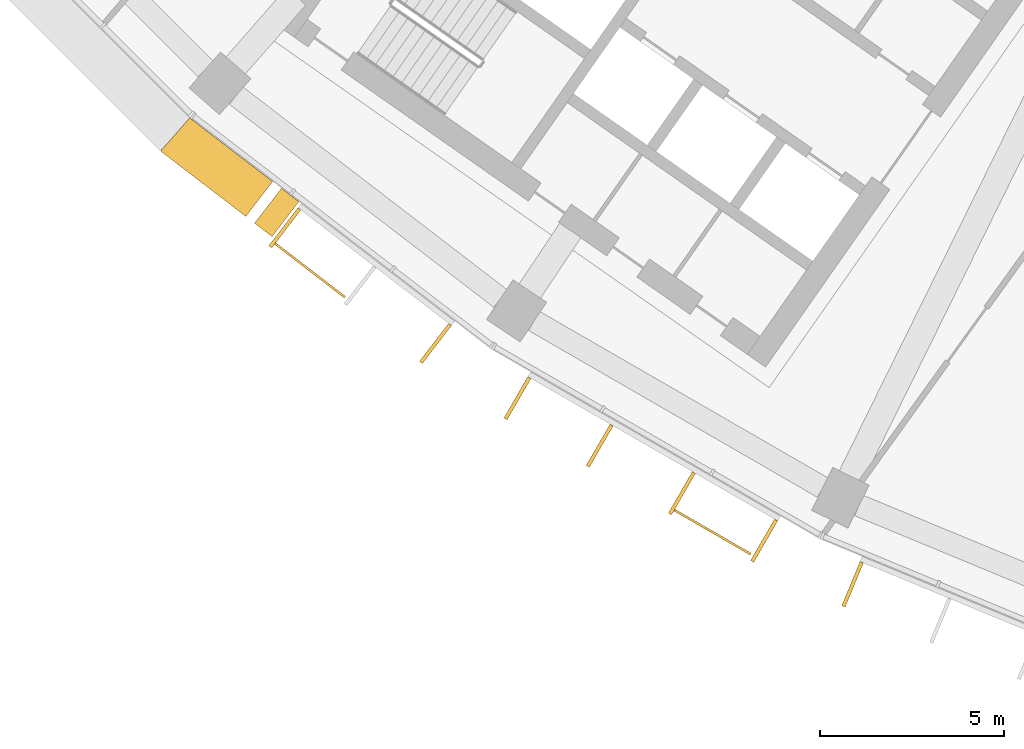
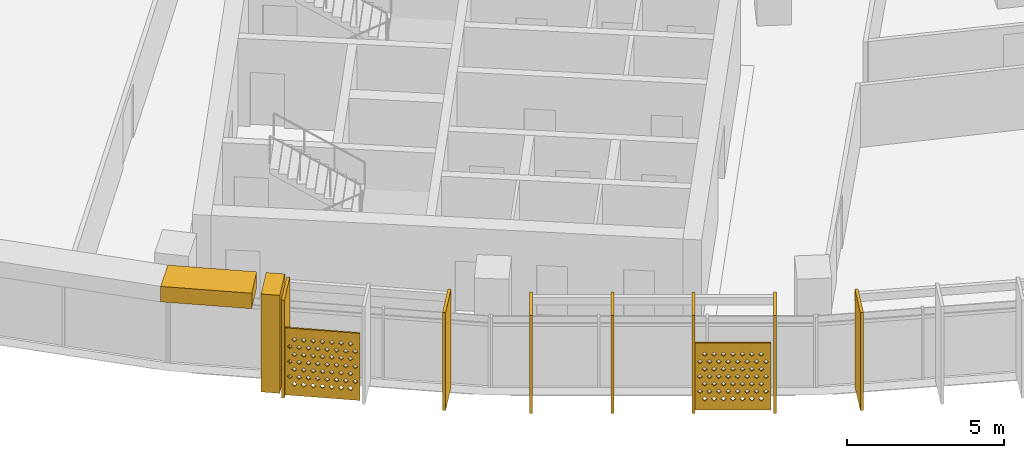
# One storey, part 21 of 27: 11 shading devices.
"""IFC4 building model written with IfcOpenShell, lengths in metres."""

from ifc_helpers import new_model, si_unit, direction, frame, origin, origin_2d, place, context, subcontext, project, spatial, polyline, rectangle, outline, extrude, material, material_profile, profile_set, type_object, element, save


model = new_model("IFC4")

# Units and contexts
model_context = context("Model", 3, precision=1e-05, world=origin(), true_north=direction((0.0, 1.0)))
body_context = subcontext(model_context, "Body", "Model", "MODEL_VIEW")
ifc_project = project(units=[si_unit("LENGTHUNIT", "METRE"), si_unit("AREAUNIT", "SQUARE_METRE"), si_unit("VOLUMEUNIT", "CUBIC_METRE"), si_unit("PLANEANGLEUNIT", "RADIAN"), si_unit("MASSUNIT", "GRAM", prefix="KILO")], contexts=[model_context])

# Site, building, storey
site_placement = place(None, origin())
site = spatial("IfcSite", under=ifc_project, at=site_placement, CompositionType="ELEMENT")
building_placement = place(site_placement, origin())
building = spatial("IfcBuilding", under=site, at=building_placement, Name="Qamariyya Broadcast Tower", CompositionType="ELEMENT")
storey_placement = place(building_placement, frame((0.0, 0.0, 194.89990234375)))
storey = spatial("IfcBuildingStorey", under=building, at=storey_placement, Name="L46", CompositionType="ELEMENT", Elevation=194.89990234375)

# Shading devices
ifc_material_1 = material(Name="Steel S355 powder coated deep red", Category="steel")
shading_device_type_1 = type_object("IfcShadingDeviceType", Name="Deep red frame, powder coated steel box section", PredefinedType="USERDEFINED", material=ifc_material_1)
shading_device_1_placement = place(storey_placement, origin())
element("IfcShadingDevice", 1, at=shading_device_1_placement, inside=storey, type_object=shading_device_type_1, Name="e-frm-B3-F1-postb-L46", ObjectType="FRAME", PredefinedType="USERDEFINED", context=body_context, shape_type="SweptSolid", body=[
    extrude(outline(polyline([(-49.593505859375, -61.3095703125), (-50.323974609375, -62.26171875), (-49.84814453125, -62.626953125), (-49.11767578125, -61.6748046875), (-49.593505859375, -61.3095703125)])), origin(), (0.0, 0.0, 1.0), 3.800048828125),
])
shading_device_2_placement = place(storey_placement, frame((0.0, 0.0, 3.2001953125)))
element("IfcShadingDevice", 2, at=shading_device_2_placement, inside=storey, type_object=shading_device_type_1, Name="e-frm-B3-F1-top2", ObjectType="FRAME", PredefinedType="USERDEFINED", context=body_context, shape_type="SweptSolid", body=[
    extrude(outline(polyline([(-52.08837890625, -59.395263671875), (-52.88134765625, -60.299560546875), (-50.56201171875, -62.0791015625), (-49.83154296875, -61.126953125), (-52.08837890625, -59.395263671875)])), origin(), (0.0, 0.0, 1.0), 0.599853515625),
])
ifc_material_2 = material(Name="Perforated glazed terracotta", Category="masonry")
ifc_material_profile_1 = material_profile(ifc_material_2, outline(polyline([(-1.199951171875, -1.300048828125), (1.199951171875, -1.300048828125), (1.199951171875, 1.300048828125), (-1.199951171875, 1.300048828125), (-1.199951171875, -1.300048828125)]), holes=[polyline([(-0.81494140625, -0.86669921875), (-0.89990234375, -0.78173828125), (-0.985107421875, -0.86669921875), (-0.89990234375, -0.95166015625), (-0.81494140625, -0.86669921875)]), polyline([(-0.514892578125, -0.86669921875), (-0.60009765625, -0.78173828125), (-0.68505859375, -0.86669921875), (-0.60009765625, -0.95166015625), (-0.514892578125, -0.86669921875)]), polyline([(-0.215087890625, -0.86669921875), (-0.300048828125, -0.78173828125), (-0.385009765625, -0.86669921875), (-0.300048828125, -0.95166015625), (-0.215087890625, -0.86669921875)]), polyline([(0.0849609375, -0.86669921875), (0.0, -0.78173828125), (-0.0849609375, -0.86669921875), (0.0, -0.95166015625), (0.0849609375, -0.86669921875)]), polyline([(0.385009765625, -0.86669921875), (0.300048828125, -0.78173828125), (0.215087890625, -0.86669921875), (0.300048828125, -0.95166015625), (0.385009765625, -0.86669921875)]), polyline([(0.68505859375, -0.86669921875), (0.60009765625, -0.78173828125), (0.514892578125, -0.86669921875), (0.60009765625, -0.95166015625), (0.68505859375, -0.86669921875)]), polyline([(0.985107421875, -0.86669921875), (0.89990234375, -0.78173828125), (0.81494140625, -0.86669921875), (0.89990234375, -0.95166015625), (0.985107421875, -0.86669921875)]), polyline([(-0.965087890625, -0.577880859375), (-1.050048828125, -0.49267578125), (-1.135009765625, -0.577880859375), (-1.050048828125, -0.662841796875), (-0.965087890625, -0.577880859375)]), polyline([(-0.6650390625, -0.577880859375), (-0.75, -0.49267578125), (-0.8349609375, -0.577880859375), (-0.75, -0.662841796875), (-0.6650390625, -0.577880859375)]), polyline([(-0.364990234375, -0.577880859375), (-0.449951171875, -0.49267578125), (-0.534912109375, -0.577880859375), (-0.449951171875, -0.662841796875), (-0.364990234375, -0.577880859375)]), polyline([(-0.06494140625, -0.577880859375), (-0.14990234375, -0.49267578125), (-0.235107421875, -0.577880859375), (-0.14990234375, -0.662841796875), (-0.06494140625, -0.577880859375)]), polyline([(0.235107421875, -0.577880859375), (0.14990234375, -0.49267578125), (0.06494140625, -0.577880859375), (0.14990234375, -0.662841796875), (0.235107421875, -0.577880859375)]), polyline([(0.534912109375, -0.577880859375), (0.449951171875, -0.49267578125), (0.364990234375, -0.577880859375), (0.449951171875, -0.662841796875), (0.534912109375, -0.577880859375)]), polyline([(0.8349609375, -0.577880859375), (0.75, -0.49267578125), (0.6650390625, -0.577880859375), (0.75, -0.662841796875), (0.8349609375, -0.577880859375)]), polyline([(1.135009765625, -0.577880859375), (1.050048828125, -0.49267578125), (0.965087890625, -0.577880859375), (1.050048828125, -0.662841796875), (1.135009765625, -0.577880859375)]), polyline([(-0.81494140625, -0.288818359375), (-0.89990234375, -0.203857421875), (-0.985107421875, -0.288818359375), (-0.89990234375, -0.373779296875), (-0.81494140625, -0.288818359375)]), polyline([(-0.514892578125, -0.288818359375), (-0.60009765625, -0.203857421875), (-0.68505859375, -0.288818359375), (-0.60009765625, -0.373779296875), (-0.514892578125, -0.288818359375)]), polyline([(-0.215087890625, -0.288818359375), (-0.300048828125, -0.203857421875), (-0.385009765625, -0.288818359375), (-0.300048828125, -0.373779296875), (-0.215087890625, -0.288818359375)]), polyline([(0.0849609375, -0.288818359375), (0.0, -0.203857421875), (-0.0849609375, -0.288818359375), (0.0, -0.373779296875), (0.0849609375, -0.288818359375)]), polyline([(0.385009765625, -0.288818359375), (0.300048828125, -0.203857421875), (0.215087890625, -0.288818359375), (0.300048828125, -0.373779296875), (0.385009765625, -0.288818359375)]), polyline([(0.68505859375, -0.288818359375), (0.60009765625, -0.203857421875), (0.514892578125, -0.288818359375), (0.60009765625, -0.373779296875), (0.68505859375, -0.288818359375)]), polyline([(0.985107421875, -0.288818359375), (0.89990234375, -0.203857421875), (0.81494140625, -0.288818359375), (0.89990234375, -0.373779296875), (0.985107421875, -0.288818359375)]), polyline([(-0.965087890625, 0.0), (-1.050048828125, 0.0849609375), (-1.135009765625, 0.0), (-1.050048828125, -0.0849609375), (-0.965087890625, 0.0)]), polyline([(-0.6650390625, 0.0), (-0.75, 0.0849609375), (-0.8349609375, 0.0), (-0.75, -0.0849609375), (-0.6650390625, 0.0)]), polyline([(-0.364990234375, 0.0), (-0.449951171875, 0.0849609375), (-0.534912109375, 0.0), (-0.449951171875, -0.0849609375), (-0.364990234375, 0.0)]), polyline([(-0.06494140625, 0.0), (-0.14990234375, 0.0849609375), (-0.235107421875, 0.0), (-0.14990234375, -0.0849609375), (-0.06494140625, 0.0)]), polyline([(0.235107421875, 0.0), (0.14990234375, 0.0849609375), (0.06494140625, 0.0), (0.14990234375, -0.0849609375), (0.235107421875, 0.0)]), polyline([(0.534912109375, 0.0), (0.449951171875, 0.0849609375), (0.364990234375, 0.0), (0.449951171875, -0.0849609375), (0.534912109375, 0.0)]), polyline([(0.8349609375, 0.0), (0.75, 0.0849609375), (0.6650390625, 0.0), (0.75, -0.0849609375), (0.8349609375, 0.0)]), polyline([(1.135009765625, 0.0), (1.050048828125, 0.0849609375), (0.965087890625, 0.0), (1.050048828125, -0.0849609375), (1.135009765625, 0.0)]), polyline([(-0.81494140625, 0.288818359375), (-0.89990234375, 0.373779296875), (-0.985107421875, 0.288818359375), (-0.89990234375, 0.203857421875), (-0.81494140625, 0.288818359375)]), polyline([(-0.514892578125, 0.288818359375), (-0.60009765625, 0.373779296875), (-0.68505859375, 0.288818359375), (-0.60009765625, 0.203857421875), (-0.514892578125, 0.288818359375)]), polyline([(-0.215087890625, 0.288818359375), (-0.300048828125, 0.373779296875), (-0.385009765625, 0.288818359375), (-0.300048828125, 0.203857421875), (-0.215087890625, 0.288818359375)]), polyline([(0.0849609375, 0.288818359375), (0.0, 0.373779296875), (-0.0849609375, 0.288818359375), (0.0, 0.203857421875), (0.0849609375, 0.288818359375)]), polyline([(0.385009765625, 0.288818359375), (0.300048828125, 0.373779296875), (0.215087890625, 0.288818359375), (0.300048828125, 0.203857421875), (0.385009765625, 0.288818359375)]), polyline([(0.68505859375, 0.288818359375), (0.60009765625, 0.373779296875), (0.514892578125, 0.288818359375), (0.60009765625, 0.203857421875), (0.68505859375, 0.288818359375)]), polyline([(0.985107421875, 0.288818359375), (0.89990234375, 0.373779296875), (0.81494140625, 0.288818359375), (0.89990234375, 0.203857421875), (0.985107421875, 0.288818359375)]), polyline([(-0.965087890625, 0.577880859375), (-1.050048828125, 0.662841796875), (-1.135009765625, 0.577880859375), (-1.050048828125, 0.49267578125), (-0.965087890625, 0.577880859375)]), polyline([(-0.6650390625, 0.577880859375), (-0.75, 0.662841796875), (-0.8349609375, 0.577880859375), (-0.75, 0.49267578125), (-0.6650390625, 0.577880859375)]), polyline([(-0.364990234375, 0.577880859375), (-0.449951171875, 0.662841796875), (-0.534912109375, 0.577880859375), (-0.449951171875, 0.49267578125), (-0.364990234375, 0.577880859375)]), polyline([(-0.06494140625, 0.577880859375), (-0.14990234375, 0.662841796875), (-0.235107421875, 0.577880859375), (-0.14990234375, 0.49267578125), (-0.06494140625, 0.577880859375)]), polyline([(0.235107421875, 0.577880859375), (0.14990234375, 0.662841796875), (0.06494140625, 0.577880859375), (0.14990234375, 0.49267578125), (0.235107421875, 0.577880859375)]), polyline([(0.534912109375, 0.577880859375), (0.449951171875, 0.662841796875), (0.364990234375, 0.577880859375), (0.449951171875, 0.49267578125), (0.534912109375, 0.577880859375)]), polyline([(0.8349609375, 0.577880859375), (0.75, 0.662841796875), (0.6650390625, 0.577880859375), (0.75, 0.49267578125), (0.8349609375, 0.577880859375)]), polyline([(1.135009765625, 0.577880859375), (1.050048828125, 0.662841796875), (0.965087890625, 0.577880859375), (1.050048828125, 0.49267578125), (1.135009765625, 0.577880859375)]), polyline([(-0.81494140625, 0.86669921875), (-0.89990234375, 0.95166015625), (-0.985107421875, 0.86669921875), (-0.89990234375, 0.78173828125), (-0.81494140625, 0.86669921875)]), polyline([(-0.514892578125, 0.86669921875), (-0.60009765625, 0.95166015625), (-0.68505859375, 0.86669921875), (-0.60009765625, 0.78173828125), (-0.514892578125, 0.86669921875)]), polyline([(-0.215087890625, 0.86669921875), (-0.300048828125, 0.95166015625), (-0.385009765625, 0.86669921875), (-0.300048828125, 0.78173828125), (-0.215087890625, 0.86669921875)]), polyline([(0.0849609375, 0.86669921875), (0.0, 0.95166015625), (-0.0849609375, 0.86669921875), (0.0, 0.78173828125), (0.0849609375, 0.86669921875)]), polyline([(0.385009765625, 0.86669921875), (0.300048828125, 0.95166015625), (0.215087890625, 0.86669921875), (0.300048828125, 0.78173828125), (0.385009765625, 0.86669921875)]), polyline([(0.68505859375, 0.86669921875), (0.60009765625, 0.95166015625), (0.514892578125, 0.86669921875), (0.60009765625, 0.78173828125), (0.68505859375, 0.86669921875)]), polyline([(0.985107421875, 0.86669921875), (0.89990234375, 0.95166015625), (0.81494140625, 0.86669921875), (0.89990234375, 0.78173828125), (0.985107421875, 0.86669921875)])]))
ifc_profile_set_1 = profile_set([ifc_material_profile_1], Name="Perforated glazed terracotta")
shading_device_type_2 = type_object("IfcShadingDeviceType", Name="Perforated terracotta screen 2400 x 2600", PredefinedType="USERDEFINED", material=ifc_profile_set_1)
shading_device_3_placement = place(storey_placement, frame((-48.79541015625, -63.52294921875, 1.35009765625), z_axis=(-0.60971076085, -0.792623989105, 0.0), x_axis=(0.792623989105, -0.60971076085, 0.0)))
element("IfcShadingDevice", 3, at=shading_device_3_placement, inside=storey, type_object=shading_device_type_2, Name="e-scr-L46-02-1", ObjectType="SCREEN", PredefinedType="USERDEFINED", context=body_context, shape_type="SweptSolid", body=[
    extrude(outline(polyline([(-1.199951171875, -1.300048828125), (1.199951171875, -1.300048828125), (1.199951171875, 1.300048828125), (-1.199951171875, 1.300048828125), (-1.199951171875, -1.300048828125)]), holes=[polyline([(-0.81494140625, -0.86669921875), (-0.89990234375, -0.78173828125), (-0.985107421875, -0.86669921875), (-0.89990234375, -0.95166015625), (-0.81494140625, -0.86669921875)]), polyline([(-0.514892578125, -0.86669921875), (-0.60009765625, -0.78173828125), (-0.68505859375, -0.86669921875), (-0.60009765625, -0.95166015625), (-0.514892578125, -0.86669921875)]), polyline([(-0.215087890625, -0.86669921875), (-0.300048828125, -0.78173828125), (-0.385009765625, -0.86669921875), (-0.300048828125, -0.95166015625), (-0.215087890625, -0.86669921875)]), polyline([(0.0849609375, -0.86669921875), (0.0, -0.78173828125), (-0.0849609375, -0.86669921875), (0.0, -0.95166015625), (0.0849609375, -0.86669921875)]), polyline([(0.385009765625, -0.86669921875), (0.300048828125, -0.78173828125), (0.215087890625, -0.86669921875), (0.300048828125, -0.95166015625), (0.385009765625, -0.86669921875)]), polyline([(0.68505859375, -0.86669921875), (0.60009765625, -0.78173828125), (0.514892578125, -0.86669921875), (0.60009765625, -0.95166015625), (0.68505859375, -0.86669921875)]), polyline([(0.985107421875, -0.86669921875), (0.89990234375, -0.78173828125), (0.81494140625, -0.86669921875), (0.89990234375, -0.95166015625), (0.985107421875, -0.86669921875)]), polyline([(-0.965087890625, -0.577880859375), (-1.050048828125, -0.49267578125), (-1.135009765625, -0.577880859375), (-1.050048828125, -0.662841796875), (-0.965087890625, -0.577880859375)]), polyline([(-0.6650390625, -0.577880859375), (-0.75, -0.49267578125), (-0.8349609375, -0.577880859375), (-0.75, -0.662841796875), (-0.6650390625, -0.577880859375)]), polyline([(-0.364990234375, -0.577880859375), (-0.449951171875, -0.49267578125), (-0.534912109375, -0.577880859375), (-0.449951171875, -0.662841796875), (-0.364990234375, -0.577880859375)]), polyline([(-0.06494140625, -0.577880859375), (-0.14990234375, -0.49267578125), (-0.235107421875, -0.577880859375), (-0.14990234375, -0.662841796875), (-0.06494140625, -0.577880859375)]), polyline([(0.235107421875, -0.577880859375), (0.14990234375, -0.49267578125), (0.06494140625, -0.577880859375), (0.14990234375, -0.662841796875), (0.235107421875, -0.577880859375)]), polyline([(0.534912109375, -0.577880859375), (0.449951171875, -0.49267578125), (0.364990234375, -0.577880859375), (0.449951171875, -0.662841796875), (0.534912109375, -0.577880859375)]), polyline([(0.8349609375, -0.577880859375), (0.75, -0.49267578125), (0.6650390625, -0.577880859375), (0.75, -0.662841796875), (0.8349609375, -0.577880859375)]), polyline([(1.135009765625, -0.577880859375), (1.050048828125, -0.49267578125), (0.965087890625, -0.577880859375), (1.050048828125, -0.662841796875), (1.135009765625, -0.577880859375)]), polyline([(-0.81494140625, -0.288818359375), (-0.89990234375, -0.203857421875), (-0.985107421875, -0.288818359375), (-0.89990234375, -0.373779296875), (-0.81494140625, -0.288818359375)]), polyline([(-0.514892578125, -0.288818359375), (-0.60009765625, -0.203857421875), (-0.68505859375, -0.288818359375), (-0.60009765625, -0.373779296875), (-0.514892578125, -0.288818359375)]), polyline([(-0.215087890625, -0.288818359375), (-0.300048828125, -0.203857421875), (-0.385009765625, -0.288818359375), (-0.300048828125, -0.373779296875), (-0.215087890625, -0.288818359375)]), polyline([(0.0849609375, -0.288818359375), (0.0, -0.203857421875), (-0.0849609375, -0.288818359375), (0.0, -0.373779296875), (0.0849609375, -0.288818359375)]), polyline([(0.385009765625, -0.288818359375), (0.300048828125, -0.203857421875), (0.215087890625, -0.288818359375), (0.300048828125, -0.373779296875), (0.385009765625, -0.288818359375)]), polyline([(0.68505859375, -0.288818359375), (0.60009765625, -0.203857421875), (0.514892578125, -0.288818359375), (0.60009765625, -0.373779296875), (0.68505859375, -0.288818359375)]), polyline([(0.985107421875, -0.288818359375), (0.89990234375, -0.203857421875), (0.81494140625, -0.288818359375), (0.89990234375, -0.373779296875), (0.985107421875, -0.288818359375)]), polyline([(-0.965087890625, 0.0), (-1.050048828125, 0.0849609375), (-1.135009765625, 0.0), (-1.050048828125, -0.0849609375), (-0.965087890625, 0.0)]), polyline([(-0.6650390625, 0.0), (-0.75, 0.0849609375), (-0.8349609375, 0.0), (-0.75, -0.0849609375), (-0.6650390625, 0.0)]), polyline([(-0.364990234375, 0.0), (-0.449951171875, 0.0849609375), (-0.534912109375, 0.0), (-0.449951171875, -0.0849609375), (-0.364990234375, 0.0)]), polyline([(-0.06494140625, 0.0), (-0.14990234375, 0.0849609375), (-0.235107421875, 0.0), (-0.14990234375, -0.0849609375), (-0.06494140625, 0.0)]), polyline([(0.235107421875, 0.0), (0.14990234375, 0.0849609375), (0.06494140625, 0.0), (0.14990234375, -0.0849609375), (0.235107421875, 0.0)]), polyline([(0.534912109375, 0.0), (0.449951171875, 0.0849609375), (0.364990234375, 0.0), (0.449951171875, -0.0849609375), (0.534912109375, 0.0)]), polyline([(0.8349609375, 0.0), (0.75, 0.0849609375), (0.6650390625, 0.0), (0.75, -0.0849609375), (0.8349609375, 0.0)]), polyline([(1.135009765625, 0.0), (1.050048828125, 0.0849609375), (0.965087890625, 0.0), (1.050048828125, -0.0849609375), (1.135009765625, 0.0)]), polyline([(-0.81494140625, 0.288818359375), (-0.89990234375, 0.373779296875), (-0.985107421875, 0.288818359375), (-0.89990234375, 0.203857421875), (-0.81494140625, 0.288818359375)]), polyline([(-0.514892578125, 0.288818359375), (-0.60009765625, 0.373779296875), (-0.68505859375, 0.288818359375), (-0.60009765625, 0.203857421875), (-0.514892578125, 0.288818359375)]), polyline([(-0.215087890625, 0.288818359375), (-0.300048828125, 0.373779296875), (-0.385009765625, 0.288818359375), (-0.300048828125, 0.203857421875), (-0.215087890625, 0.288818359375)]), polyline([(0.0849609375, 0.288818359375), (0.0, 0.373779296875), (-0.0849609375, 0.288818359375), (0.0, 0.203857421875), (0.0849609375, 0.288818359375)]), polyline([(0.385009765625, 0.288818359375), (0.300048828125, 0.373779296875), (0.215087890625, 0.288818359375), (0.300048828125, 0.203857421875), (0.385009765625, 0.288818359375)]), polyline([(0.68505859375, 0.288818359375), (0.60009765625, 0.373779296875), (0.514892578125, 0.288818359375), (0.60009765625, 0.203857421875), (0.68505859375, 0.288818359375)]), polyline([(0.985107421875, 0.288818359375), (0.89990234375, 0.373779296875), (0.81494140625, 0.288818359375), (0.89990234375, 0.203857421875), (0.985107421875, 0.288818359375)]), polyline([(-0.965087890625, 0.577880859375), (-1.050048828125, 0.662841796875), (-1.135009765625, 0.577880859375), (-1.050048828125, 0.49267578125), (-0.965087890625, 0.577880859375)]), polyline([(-0.6650390625, 0.577880859375), (-0.75, 0.662841796875), (-0.8349609375, 0.577880859375), (-0.75, 0.49267578125), (-0.6650390625, 0.577880859375)]), polyline([(-0.364990234375, 0.577880859375), (-0.449951171875, 0.662841796875), (-0.534912109375, 0.577880859375), (-0.449951171875, 0.49267578125), (-0.364990234375, 0.577880859375)]), polyline([(-0.06494140625, 0.577880859375), (-0.14990234375, 0.662841796875), (-0.235107421875, 0.577880859375), (-0.14990234375, 0.49267578125), (-0.06494140625, 0.577880859375)]), polyline([(0.235107421875, 0.577880859375), (0.14990234375, 0.662841796875), (0.06494140625, 0.577880859375), (0.14990234375, 0.49267578125), (0.235107421875, 0.577880859375)]), polyline([(0.534912109375, 0.577880859375), (0.449951171875, 0.662841796875), (0.364990234375, 0.577880859375), (0.449951171875, 0.49267578125), (0.534912109375, 0.577880859375)]), polyline([(0.8349609375, 0.577880859375), (0.75, 0.662841796875), (0.6650390625, 0.577880859375), (0.75, 0.49267578125), (0.8349609375, 0.577880859375)]), polyline([(1.135009765625, 0.577880859375), (1.050048828125, 0.662841796875), (0.965087890625, 0.577880859375), (1.050048828125, 0.49267578125), (1.135009765625, 0.577880859375)]), polyline([(-0.81494140625, 0.86669921875), (-0.89990234375, 0.95166015625), (-0.985107421875, 0.86669921875), (-0.89990234375, 0.78173828125), (-0.81494140625, 0.86669921875)]), polyline([(-0.514892578125, 0.86669921875), (-0.60009765625, 0.95166015625), (-0.68505859375, 0.86669921875), (-0.60009765625, 0.78173828125), (-0.514892578125, 0.86669921875)]), polyline([(-0.215087890625, 0.86669921875), (-0.300048828125, 0.95166015625), (-0.385009765625, 0.86669921875), (-0.300048828125, 0.78173828125), (-0.215087890625, 0.86669921875)]), polyline([(0.0849609375, 0.86669921875), (0.0, 0.95166015625), (-0.0849609375, 0.86669921875), (0.0, 0.78173828125), (0.0849609375, 0.86669921875)]), polyline([(0.385009765625, 0.86669921875), (0.300048828125, 0.95166015625), (0.215087890625, 0.86669921875), (0.300048828125, 0.78173828125), (0.385009765625, 0.86669921875)]), polyline([(0.68505859375, 0.86669921875), (0.60009765625, 0.95166015625), (0.514892578125, 0.86669921875), (0.60009765625, 0.78173828125), (0.68505859375, 0.86669921875)]), polyline([(0.985107421875, 0.86669921875), (0.89990234375, 0.95166015625), (0.81494140625, 0.86669921875), (0.89990234375, 0.78173828125), (0.985107421875, 0.86669921875)])]), origin(), (0.0, 0.0, 1.0), 0.06005859375),
])
shading_device_4_placement = place(storey_placement, frame((-37.84912109375, -70.64013671875, 1.35009765625), z_axis=(-0.500074377092, -0.865982457891, 0.0), x_axis=(0.865982457891, -0.500074377092, 0.0)))
element("IfcShadingDevice", 4, at=shading_device_4_placement, inside=storey, type_object=shading_device_type_2, Name="e-scr-L46-03-2", ObjectType="SCREEN", PredefinedType="USERDEFINED", context=body_context, shape_type="SweptSolid", body=[
    extrude(outline(polyline([(-1.199951171875, -1.300048828125), (1.199951171875, -1.300048828125), (1.199951171875, 1.300048828125), (-1.199951171875, 1.300048828125), (-1.199951171875, -1.300048828125)]), holes=[polyline([(-0.81494140625, -0.86669921875), (-0.89990234375, -0.78173828125), (-0.985107421875, -0.86669921875), (-0.89990234375, -0.95166015625), (-0.81494140625, -0.86669921875)]), polyline([(-0.514892578125, -0.86669921875), (-0.60009765625, -0.78173828125), (-0.68505859375, -0.86669921875), (-0.60009765625, -0.95166015625), (-0.514892578125, -0.86669921875)]), polyline([(-0.215087890625, -0.86669921875), (-0.300048828125, -0.78173828125), (-0.385009765625, -0.86669921875), (-0.300048828125, -0.95166015625), (-0.215087890625, -0.86669921875)]), polyline([(0.0849609375, -0.86669921875), (0.0, -0.78173828125), (-0.0849609375, -0.86669921875), (0.0, -0.95166015625), (0.0849609375, -0.86669921875)]), polyline([(0.385009765625, -0.86669921875), (0.300048828125, -0.78173828125), (0.215087890625, -0.86669921875), (0.300048828125, -0.95166015625), (0.385009765625, -0.86669921875)]), polyline([(0.68505859375, -0.86669921875), (0.60009765625, -0.78173828125), (0.514892578125, -0.86669921875), (0.60009765625, -0.95166015625), (0.68505859375, -0.86669921875)]), polyline([(0.985107421875, -0.86669921875), (0.89990234375, -0.78173828125), (0.81494140625, -0.86669921875), (0.89990234375, -0.95166015625), (0.985107421875, -0.86669921875)]), polyline([(-0.965087890625, -0.577880859375), (-1.050048828125, -0.49267578125), (-1.135009765625, -0.577880859375), (-1.050048828125, -0.662841796875), (-0.965087890625, -0.577880859375)]), polyline([(-0.6650390625, -0.577880859375), (-0.75, -0.49267578125), (-0.8349609375, -0.577880859375), (-0.75, -0.662841796875), (-0.6650390625, -0.577880859375)]), polyline([(-0.364990234375, -0.577880859375), (-0.449951171875, -0.49267578125), (-0.534912109375, -0.577880859375), (-0.449951171875, -0.662841796875), (-0.364990234375, -0.577880859375)]), polyline([(-0.06494140625, -0.577880859375), (-0.14990234375, -0.49267578125), (-0.235107421875, -0.577880859375), (-0.14990234375, -0.662841796875), (-0.06494140625, -0.577880859375)]), polyline([(0.235107421875, -0.577880859375), (0.14990234375, -0.49267578125), (0.06494140625, -0.577880859375), (0.14990234375, -0.662841796875), (0.235107421875, -0.577880859375)]), polyline([(0.534912109375, -0.577880859375), (0.449951171875, -0.49267578125), (0.364990234375, -0.577880859375), (0.449951171875, -0.662841796875), (0.534912109375, -0.577880859375)]), polyline([(0.8349609375, -0.577880859375), (0.75, -0.49267578125), (0.6650390625, -0.577880859375), (0.75, -0.662841796875), (0.8349609375, -0.577880859375)]), polyline([(1.135009765625, -0.577880859375), (1.050048828125, -0.49267578125), (0.965087890625, -0.577880859375), (1.050048828125, -0.662841796875), (1.135009765625, -0.577880859375)]), polyline([(-0.81494140625, -0.288818359375), (-0.89990234375, -0.203857421875), (-0.985107421875, -0.288818359375), (-0.89990234375, -0.373779296875), (-0.81494140625, -0.288818359375)]), polyline([(-0.514892578125, -0.288818359375), (-0.60009765625, -0.203857421875), (-0.68505859375, -0.288818359375), (-0.60009765625, -0.373779296875), (-0.514892578125, -0.288818359375)]), polyline([(-0.215087890625, -0.288818359375), (-0.300048828125, -0.203857421875), (-0.385009765625, -0.288818359375), (-0.300048828125, -0.373779296875), (-0.215087890625, -0.288818359375)]), polyline([(0.0849609375, -0.288818359375), (0.0, -0.203857421875), (-0.0849609375, -0.288818359375), (0.0, -0.373779296875), (0.0849609375, -0.288818359375)]), polyline([(0.385009765625, -0.288818359375), (0.300048828125, -0.203857421875), (0.215087890625, -0.288818359375), (0.300048828125, -0.373779296875), (0.385009765625, -0.288818359375)]), polyline([(0.68505859375, -0.288818359375), (0.60009765625, -0.203857421875), (0.514892578125, -0.288818359375), (0.60009765625, -0.373779296875), (0.68505859375, -0.288818359375)]), polyline([(0.985107421875, -0.288818359375), (0.89990234375, -0.203857421875), (0.81494140625, -0.288818359375), (0.89990234375, -0.373779296875), (0.985107421875, -0.288818359375)]), polyline([(-0.965087890625, 0.0), (-1.050048828125, 0.0849609375), (-1.135009765625, 0.0), (-1.050048828125, -0.0849609375), (-0.965087890625, 0.0)]), polyline([(-0.6650390625, 0.0), (-0.75, 0.0849609375), (-0.8349609375, 0.0), (-0.75, -0.0849609375), (-0.6650390625, 0.0)]), polyline([(-0.364990234375, 0.0), (-0.449951171875, 0.0849609375), (-0.534912109375, 0.0), (-0.449951171875, -0.0849609375), (-0.364990234375, 0.0)]), polyline([(-0.06494140625, 0.0), (-0.14990234375, 0.0849609375), (-0.235107421875, 0.0), (-0.14990234375, -0.0849609375), (-0.06494140625, 0.0)]), polyline([(0.235107421875, 0.0), (0.14990234375, 0.0849609375), (0.06494140625, 0.0), (0.14990234375, -0.0849609375), (0.235107421875, 0.0)]), polyline([(0.534912109375, 0.0), (0.449951171875, 0.0849609375), (0.364990234375, 0.0), (0.449951171875, -0.0849609375), (0.534912109375, 0.0)]), polyline([(0.8349609375, 0.0), (0.75, 0.0849609375), (0.6650390625, 0.0), (0.75, -0.0849609375), (0.8349609375, 0.0)]), polyline([(1.135009765625, 0.0), (1.050048828125, 0.0849609375), (0.965087890625, 0.0), (1.050048828125, -0.0849609375), (1.135009765625, 0.0)]), polyline([(-0.81494140625, 0.288818359375), (-0.89990234375, 0.373779296875), (-0.985107421875, 0.288818359375), (-0.89990234375, 0.203857421875), (-0.81494140625, 0.288818359375)]), polyline([(-0.514892578125, 0.288818359375), (-0.60009765625, 0.373779296875), (-0.68505859375, 0.288818359375), (-0.60009765625, 0.203857421875), (-0.514892578125, 0.288818359375)]), polyline([(-0.215087890625, 0.288818359375), (-0.300048828125, 0.373779296875), (-0.385009765625, 0.288818359375), (-0.300048828125, 0.203857421875), (-0.215087890625, 0.288818359375)]), polyline([(0.0849609375, 0.288818359375), (0.0, 0.373779296875), (-0.0849609375, 0.288818359375), (0.0, 0.203857421875), (0.0849609375, 0.288818359375)]), polyline([(0.385009765625, 0.288818359375), (0.300048828125, 0.373779296875), (0.215087890625, 0.288818359375), (0.300048828125, 0.203857421875), (0.385009765625, 0.288818359375)]), polyline([(0.68505859375, 0.288818359375), (0.60009765625, 0.373779296875), (0.514892578125, 0.288818359375), (0.60009765625, 0.203857421875), (0.68505859375, 0.288818359375)]), polyline([(0.985107421875, 0.288818359375), (0.89990234375, 0.373779296875), (0.81494140625, 0.288818359375), (0.89990234375, 0.203857421875), (0.985107421875, 0.288818359375)]), polyline([(-0.965087890625, 0.577880859375), (-1.050048828125, 0.662841796875), (-1.135009765625, 0.577880859375), (-1.050048828125, 0.49267578125), (-0.965087890625, 0.577880859375)]), polyline([(-0.6650390625, 0.577880859375), (-0.75, 0.662841796875), (-0.8349609375, 0.577880859375), (-0.75, 0.49267578125), (-0.6650390625, 0.577880859375)]), polyline([(-0.364990234375, 0.577880859375), (-0.449951171875, 0.662841796875), (-0.534912109375, 0.577880859375), (-0.449951171875, 0.49267578125), (-0.364990234375, 0.577880859375)]), polyline([(-0.06494140625, 0.577880859375), (-0.14990234375, 0.662841796875), (-0.235107421875, 0.577880859375), (-0.14990234375, 0.49267578125), (-0.06494140625, 0.577880859375)]), polyline([(0.235107421875, 0.577880859375), (0.14990234375, 0.662841796875), (0.06494140625, 0.577880859375), (0.14990234375, 0.49267578125), (0.235107421875, 0.577880859375)]), polyline([(0.534912109375, 0.577880859375), (0.449951171875, 0.662841796875), (0.364990234375, 0.577880859375), (0.449951171875, 0.49267578125), (0.534912109375, 0.577880859375)]), polyline([(0.8349609375, 0.577880859375), (0.75, 0.662841796875), (0.6650390625, 0.577880859375), (0.75, 0.49267578125), (0.8349609375, 0.577880859375)]), polyline([(1.135009765625, 0.577880859375), (1.050048828125, 0.662841796875), (0.965087890625, 0.577880859375), (1.050048828125, 0.49267578125), (1.135009765625, 0.577880859375)]), polyline([(-0.81494140625, 0.86669921875), (-0.89990234375, 0.95166015625), (-0.985107421875, 0.86669921875), (-0.89990234375, 0.78173828125), (-0.81494140625, 0.86669921875)]), polyline([(-0.514892578125, 0.86669921875), (-0.60009765625, 0.95166015625), (-0.68505859375, 0.86669921875), (-0.60009765625, 0.78173828125), (-0.514892578125, 0.86669921875)]), polyline([(-0.215087890625, 0.86669921875), (-0.300048828125, 0.95166015625), (-0.385009765625, 0.86669921875), (-0.300048828125, 0.78173828125), (-0.215087890625, 0.86669921875)]), polyline([(0.0849609375, 0.86669921875), (0.0, 0.95166015625), (-0.0849609375, 0.86669921875), (0.0, 0.78173828125), (0.0849609375, 0.86669921875)]), polyline([(0.385009765625, 0.86669921875), (0.300048828125, 0.95166015625), (0.215087890625, 0.86669921875), (0.300048828125, 0.78173828125), (0.385009765625, 0.86669921875)]), polyline([(0.68505859375, 0.86669921875), (0.60009765625, 0.95166015625), (0.514892578125, 0.86669921875), (0.60009765625, 0.78173828125), (0.68505859375, 0.86669921875)]), polyline([(0.985107421875, 0.86669921875), (0.89990234375, 0.95166015625), (0.81494140625, 0.86669921875), (0.89990234375, 0.78173828125), (0.985107421875, 0.86669921875)])]), origin(), (0.0, 0.0, 1.0), 0.06005859375),
])
ifc_material_3 = material(Name="Glazed terracotta", Category="masonry")
ifc_material_profile_2 = material_profile(ifc_material_3, rectangle(XDim=1.300048828125, YDim=0.10009765625, at=origin_2d()))
ifc_profile_set_2 = profile_set([ifc_material_profile_2], Name="Glazed terracotta")
shading_device_type_3 = type_object("IfcShadingDeviceType", Name="Terracotta fin 100 x 1300", PredefinedType="USERDEFINED", material=ifc_profile_set_2)
for number, where, z_axis, x_axis, name in (
    (5, (-49.5009765625, -62.38916015625, 0.0), (0.0, 0.0, 1.0), (-0.608761429009, -0.793353340291, 0.0), "e-fin-L46-02-1"),
    (6, (-45.40185546875, -65.534423828125, 0.0), (0.0, 0.0, 1.0), (-0.608761429009, -0.793353340291, 0.0), "e-fin-L46-02-3"),
    (7, (-43.17138671875, -67.024658203125, 0.0), (0.0, 0.0, 1.0), (-0.5, -0.866025403784, 0.0), "e-fin-L46-03-0"),
    (8, (-40.93408203125, -68.31640625, 0.0), (0.0, 0.0, 1.0), (-0.5, -0.866025403784, 0.0), "e-fin-L46-03-1"),
    (9, (-38.69677734375, -69.608154296875, 0.0), (0.0, 0.0, 1.0), (-0.5, -0.866025403784, 0.0), "e-fin-L46-03-2"),
    (10, (-36.45947265625, -70.89990234375, 0.0), (0.0, 0.0, 1.0), (-0.5, -0.866025403784, 0.0), "e-fin-L46-03-3"),
    (11, (-34.053466796875, -72.08642578125, 0.0), (0.0, 0.0, 1.0), (-0.382683432365, -0.923879532511, 0.0), "e-fin-L46-04-0"),
):
    element("IfcShadingDevice", number, at=place(storey_placement, frame(where, z_axis=z_axis, x_axis=x_axis)), inside=storey, type_object=shading_device_type_3, Name=name, ObjectType="FIN", PredefinedType="USERDEFINED", context=body_context, shape_type="SweptSolid", body=[
        extrude(rectangle(XDim=1.300048828125, YDim=0.10009765625, at=origin_2d()), origin(), (0.0, 0.0, 1.0), 3.800048828125),
    ])

save(model, "model.ifc")
